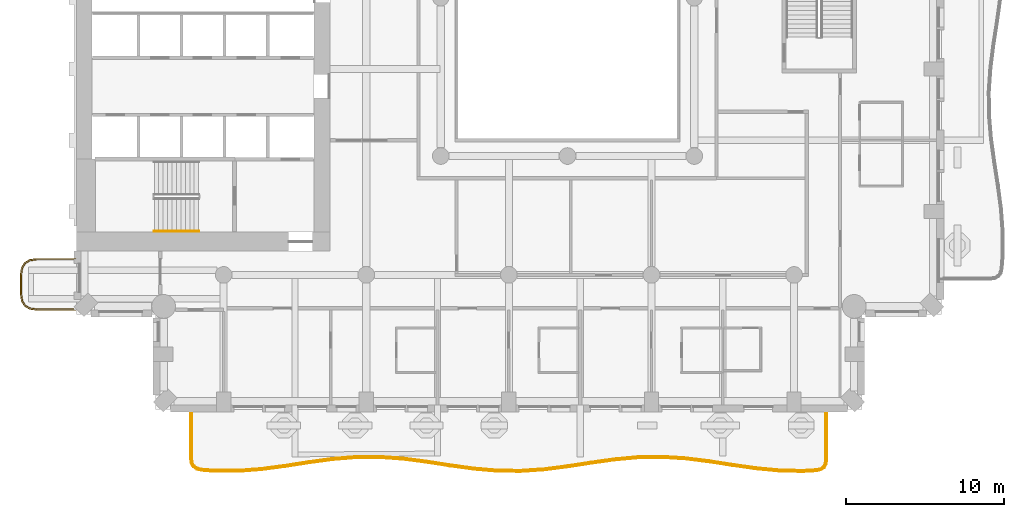
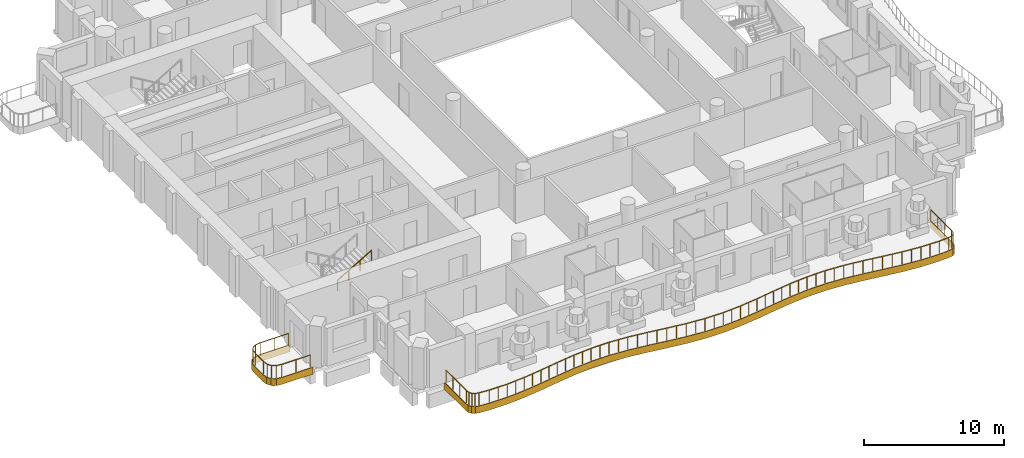
# One storey, part 12 of 19: 3 railings, 2 coverings.
"""IFC4 building model written with IfcOpenShell, lengths in metres."""

from ifc_helpers import new_model, si_unit, direction, frame, origin, origin_2d, place, context, subcontext, project, spatial, polyline, rectangle, outline, extrude, material, layer, layer_set, type_object, element, save


model = new_model("IFC4")

# Units and contexts
model_context = context("Model", 3, precision=1e-05, world=origin(), true_north=direction((0.0, 1.0)))
body_context = subcontext(model_context, "Body", "Model", "MODEL_VIEW")
ifc_project = project(units=[si_unit("LENGTHUNIT", "METRE"), si_unit("AREAUNIT", "SQUARE_METRE"), si_unit("VOLUMEUNIT", "CUBIC_METRE"), si_unit("PLANEANGLEUNIT", "RADIAN"), si_unit("MASSUNIT", "GRAM", prefix="KILO")], contexts=[model_context])

# Site, building, storey
site_placement = place(None, origin())
site = spatial("IfcSite", under=ifc_project, at=site_placement, CompositionType="ELEMENT")
building_placement = place(site_placement, origin())
building = spatial("IfcBuilding", under=site, at=building_placement, Name="Cypress Arch Tower", CompositionType="ELEMENT")
storey_placement = place(building_placement, frame((0.0, 0.0, 138.300048828125)))
storey = spatial("IfcBuildingStorey", under=building, at=storey_placement, Name="L30", CompositionType="ELEMENT", Elevation=138.300048828125)

# Coverings
ifc_material_1 = material(Name="White powder-coated aluminium fascia", Category="aluminium")
ifc_layer = layer(ifc_material_1, 0.050048828125)
ifc_layer_set = layer_set([ifc_layer], Name="Balcony fascia BF50")
covering_type = type_object("IfcCoveringType", Name="Balcony fascia BF50", PredefinedType="CLADDING", material=ifc_layer_set)
covering_1_placement = place(storey_placement, frame((0.0, 0.0, -0.60009765625)))
element("IfcCovering", 1, at=covering_1_placement, inside=storey, type_object=covering_type, Name="Balcony fascia L30-A00W1", PredefinedType="CLADDING", context=body_context, shape_type="SweptSolid", body=[
    extrude(outline(polyline([(-32.503662109375, -19.75), (-32.95458984375, -19.685546875), (-33.286376953125, -19.486328125), (-33.485595703125, -19.154541015625), (-33.550048828125, -18.70361328125), (-33.550048828125, -17.496337890625), (-33.485595703125, -17.04541015625), (-33.286376953125, -16.713623046875), (-32.95458984375, -16.514404296875), (-32.503662109375, -16.449951171875), (-30.0009765625, -16.449951171875), (-30.0009765625, -16.5), (-32.5, -16.5), (-32.9375, -16.5625), (-33.25, -16.75), (-33.4375, -17.0625), (-33.5, -17.5), (-33.5, -18.699951171875), (-33.4375, -19.137451171875), (-33.25, -19.449951171875), (-32.9375, -19.637451171875), (-32.5, -19.699951171875), (-30.0009765625, -19.699951171875), (-30.0009765625, -19.75), (-32.503662109375, -19.75)])), origin(), (0.0, 0.0, 1.0), 0.60009765625),
])
covering_2_placement = place(storey_placement, frame((0.0, 0.0, -0.60009765625)))
element("IfcCovering", 2, at=covering_2_placement, inside=storey, type_object=covering_type, Name="Balcony fascia L30-A03", PredefinedType="CLADDING", context=body_context, shape_type="SweptSolid", body=[
    extrude(outline(polyline([(17.39990234375, -29.143310546875), (17.3564453125, -29.451904296875), (17.22021484375, -29.68701171875), (16.993408203125, -29.836669921875), (16.68798828125, -29.898193359375), (15.86572265625, -29.9462890625), (14.376708984375, -29.916015625), (12.888671875, -29.776123046875), (11.40185546875, -29.5634765625), (9.917236328125, -29.33447265625), (8.434326171875, -29.14892578125), (6.95263671875, -29.0556640625), (5.47119140625, -29.078857421875), (3.989013671875, -29.21240234375), (2.50537109375, -29.421630859375), (1.02001953125, -29.651611328125), (-0.46728515625, -29.841796875), (-1.9560546875, -29.94189453125), (-3.445068359375, -29.92578125), (-4.933349609375, -29.797607421875), (-6.420166015625, -29.591064453125), (-7.9052734375, -29.36083984375), (-9.388427734375, -29.1669921875), (-10.8701171875, -29.060791015625), (-12.3515625, -29.06982421875), (-13.83349609375, -29.191650390625), (-15.31689453125, -29.394287109375), (-16.802001953125, -29.625), (-18.289306640625, -29.82275390625), (-19.77783203125, -29.935791015625), (-21.266845703125, -29.93408203125), (-22.089111328125, -29.869873046875), (-22.394287109375, -29.802490234375), (-22.62060546875, -29.6484375), (-22.75634765625, -29.410888671875), (-22.800048828125, -29.101318359375), (-22.800048828125, -26.0009765625), (-22.75, -26.0009765625), (-22.75, -29.097900390625), (-22.708251953125, -29.394287109375), (-22.5830078125, -29.613525390625), (-22.3740234375, -29.755615234375), (-22.081787109375, -29.8203125), (-21.264892578125, -29.884033203125), (-19.779541015625, -29.8857421875), (-18.29443359375, -29.773193359375), (-16.809326171875, -29.575439453125), (-15.323974609375, -29.3447265625), (-13.8388671875, -29.141845703125), (-12.353759765625, -29.019775390625), (-10.868408203125, -29.010986328125), (-9.38330078125, -29.117431640625), (-7.898193359375, -29.311279296875), (-6.412841796875, -29.54150390625), (-4.927734375, -29.747802734375), (-3.442626953125, -29.8759765625), (-1.95751953125, -29.891845703125), (-0.47216796875, -29.7919921875), (1.012939453125, -29.60205078125), (2.498046875, -29.3720703125), (3.9833984375, -29.162841796875), (5.468505859375, -29.02880859375), (6.95361328125, -29.005615234375), (8.43896484375, -29.09912109375), (9.924072265625, -29.284912109375), (11.4091796875, -29.51416015625), (12.89453125, -29.726318359375), (14.379638671875, -29.865966796875), (15.86474609375, -29.896240234375), (16.681640625, -29.8486328125), (16.97412109375, -29.78955078125), (17.182861328125, -29.65185546875), (17.308349609375, -29.435302734375), (17.35009765625, -29.139892578125), (17.35009765625, -26.0009765625), (17.39990234375, -26.0009765625), (17.39990234375, -29.143310546875)])), origin(), (0.0, 0.0, 1.0), 0.60009765625),
])

# Railings
ifc_material_2 = material(Name="Powder-coated steel posts and rods, 100 mm clear between rods", Category="steel")
railing_type_1 = type_object("IfcRailingType", Name="Balcony guard GR1100", PredefinedType="GUARDRAIL", material=ifc_material_2)
railing_1_placement = place(storey_placement, frame((-30.14990234375, -19.64990234375, 0.0)))
element("IfcRailing", 3, at=railing_1_placement, inside=storey, type_object=railing_type_1, Name="Balcony guard L30-A00W1", PredefinedType="GUARDRAIL", context=body_context, shape_type="SweptSolid", body=[
    extrude(rectangle(XDim=0.050048828125, YDim=0.050048828125, at=origin_2d()), frame((0.0, 0.0, 1.0751953125), z_axis=(-1.0, 0.0, 0.0), x_axis=(0.0, -1.0, 0.0)), (0.0, 0.0, 1.0), 2.346435546875),
    extrude(rectangle(XDim=0.050048828125, YDim=0.050048828125, at=origin_2d()), frame((-2.346435546875, 0.0, 1.0751953125), z_axis=(-0.989960888959, 0.141341566184, 0.0), x_axis=(-0.141341566184, -0.989960888959, 0.0)), (0.0, 0.0, 1.0), 0.428466796875),
    extrude(rectangle(XDim=0.050048828125, YDim=0.050048828125, at=origin_2d()), frame((-2.7705078125, 0.060546875, 1.0751953125), z_axis=(-0.857681904839, 0.514180659021, 0.0), x_axis=(-0.514180659021, -0.857681904839, 0.0)), (0.0, 0.0, 1.0), 0.341796875),
    extrude(rectangle(XDim=0.050048828125, YDim=0.050048828125, at=origin_2d()), frame((-3.063720703125, 0.236328125, 1.0751953125), z_axis=(-0.514180659021, 0.857681904839, 0.0), x_axis=(-0.857681904839, -0.514180659021, 0.0)), (0.0, 0.0, 1.0), 0.341796875),
    extrude(rectangle(XDim=0.050048828125, YDim=0.050048828125, at=origin_2d()), frame((-3.239501953125, 0.529541015625, 1.0751953125), z_axis=(-0.141421356237, 0.989949493661, 0.0), x_axis=(-0.989949493661, -0.141421356237, 0.0)), (0.0, 0.0, 1.0), 0.42822265625),
    extrude(rectangle(XDim=0.050048828125, YDim=0.050048828125, at=origin_2d()), frame((-3.300048828125, 0.953369140625, 1.0751953125), z_axis=(0.0, 1.0, 0.0), x_axis=(-1.0, 0.0, 0.0)), (0.0, 0.0, 1.0), 1.19287109375),
    extrude(rectangle(XDim=0.050048828125, YDim=0.050048828125, at=origin_2d()), frame((-3.300048828125, 2.146240234375, 1.0751953125), z_axis=(0.141341566184, 0.989960888959, 0.0), x_axis=(-0.989960888959, 0.141341566184, 0.0)), (0.0, 0.0, 1.0), 0.428466796875),
    extrude(rectangle(XDim=0.050048828125, YDim=0.050048828125, at=origin_2d()), frame((-3.239501953125, 2.5703125, 1.0751953125), z_axis=(0.514180659021, 0.857681904839, 0.0), x_axis=(-0.857681904839, 0.514180659021, 0.0)), (0.0, 0.0, 1.0), 0.341796875),
    extrude(rectangle(XDim=0.050048828125, YDim=0.050048828125, at=origin_2d()), frame((-3.063720703125, 2.863525390625, 1.0751953125), z_axis=(0.857681904839, 0.514180659021, 0.0), x_axis=(-0.514180659021, 0.857681904839, 0.0)), (0.0, 0.0, 1.0), 0.341796875),
    extrude(rectangle(XDim=0.050048828125, YDim=0.050048828125, at=origin_2d()), frame((-2.7705078125, 3.039306640625, 1.0751953125), z_axis=(0.989960888959, 0.141341566184, 0.0), x_axis=(-0.141341566184, 0.989960888959, 0.0)), (0.0, 0.0, 1.0), 0.428466796875),
    extrude(rectangle(XDim=0.050048828125, YDim=0.050048828125, at=origin_2d()), frame((-2.346435546875, 3.099853515625, 1.0751953125), z_axis=(1.0, 0.0, 0.0), x_axis=(0.0, 1.0, 0.0)), (0.0, 0.0, 1.0), 2.346435546875),
    extrude(rectangle(XDim=0.0400390625, YDim=0.0400390625, at=origin_2d()), origin(), (0.0, 0.0, 1.0), 1.050048828125),
    extrude(rectangle(XDim=0.0400390625, YDim=0.0400390625, at=origin_2d()), frame((-1.17333984375, 0.0, 0.0)), (0.0, 0.0, 1.0), 1.050048828125),
    extrude(rectangle(XDim=0.0400390625, YDim=0.0400390625, at=origin_2d()), frame((-2.346435546875, 0.0, 0.0)), (0.0, 0.0, 1.0), 1.050048828125),
    extrude(rectangle(XDim=0.0400390625, YDim=0.0400390625, at=origin_2d()), frame((-2.7705078125, 0.060546875, 0.0)), (0.0, 0.0, 1.0), 1.050048828125),
    extrude(rectangle(XDim=0.0400390625, YDim=0.0400390625, at=origin_2d()), frame((-3.063720703125, 0.236328125, 0.0)), (0.0, 0.0, 1.0), 1.050048828125),
    extrude(rectangle(XDim=0.0400390625, YDim=0.0400390625, at=origin_2d()), frame((-3.239501953125, 0.529541015625, 0.0)), (0.0, 0.0, 1.0), 1.050048828125),
    extrude(rectangle(XDim=0.0400390625, YDim=0.0400390625, at=origin_2d()), frame((-3.300048828125, 0.953369140625, 0.0)), (0.0, 0.0, 1.0), 1.050048828125),
    extrude(rectangle(XDim=0.0400390625, YDim=0.0400390625, at=origin_2d()), frame((-3.300048828125, 2.146240234375, 0.0)), (0.0, 0.0, 1.0), 1.050048828125),
    extrude(rectangle(XDim=0.0400390625, YDim=0.0400390625, at=origin_2d()), frame((-3.239501953125, 2.5703125, 0.0)), (0.0, 0.0, 1.0), 1.050048828125),
    extrude(rectangle(XDim=0.0400390625, YDim=0.0400390625, at=origin_2d()), frame((-3.063720703125, 2.863525390625, 0.0)), (0.0, 0.0, 1.0), 1.050048828125),
    extrude(rectangle(XDim=0.0400390625, YDim=0.0400390625, at=origin_2d()), frame((-2.7705078125, 3.039306640625, 0.0)), (0.0, 0.0, 1.0), 1.050048828125),
    extrude(rectangle(XDim=0.0400390625, YDim=0.0400390625, at=origin_2d()), frame((-2.346435546875, 3.099853515625, 0.0)), (0.0, 0.0, 1.0), 1.050048828125),
    extrude(rectangle(XDim=0.0400390625, YDim=0.0400390625, at=origin_2d()), frame((-1.17333984375, 3.099853515625, 0.0)), (0.0, 0.0, 1.0), 1.050048828125),
    extrude(rectangle(XDim=0.0400390625, YDim=0.0400390625, at=origin_2d()), frame((0.0, 3.099853515625, 0.0)), (0.0, 0.0, 1.0), 1.050048828125),
])
railing_2_placement = place(storey_placement, frame((17.300048828125, -26.14990234375, 0.0)))
element("IfcRailing", 4, at=railing_2_placement, inside=storey, type_object=railing_type_1, Name="Balcony guard L30-A03", PredefinedType="GUARDRAIL", context=body_context, shape_type="SweptSolid", body=[
    extrude(rectangle(XDim=0.050048828125, YDim=0.050048828125, at=origin_2d()), frame((0.0, 0.0, 1.0751953125), z_axis=(0.0, -1.0, 0.0), x_axis=(1.0, 0.0, 0.0)), (0.0, 0.0, 1.0), 2.986572265625),
    extrude(rectangle(XDim=0.050048828125, YDim=0.050048828125, at=origin_2d()), frame((0.0, -2.986572265625, 1.0751953125), z_axis=(-0.140462036909, -0.990086065041, 0.0), x_axis=(0.990086065041, -0.140462036909, 0.0)), (0.0, 0.0, 1.0), 0.28515625),
    extrude(rectangle(XDim=0.050048828125, YDim=0.050048828125, at=origin_2d()), frame((-0.0400390625, -3.268798828125, 1.0751953125), z_axis=(-0.501078385199, -0.865401901943, 0.0), x_axis=(0.865401901943, -0.501078385199, 0.0)), (0.0, 0.0, 1.0), 0.228515625),
    extrude(rectangle(XDim=0.050048828125, YDim=0.050048828125, at=origin_2d()), frame((-0.154541015625, -3.466552734375, 1.0751953125), z_axis=(-0.834668286008, -0.550752986676, 0.0), x_axis=(0.550752986676, -0.834668286008, 0.0)), (0.0, 0.0, 1.0), 0.228759765625),
    extrude(rectangle(XDim=0.050048828125, YDim=0.050048828125, at=origin_2d()), frame((-0.345458984375, -3.592529296875, 1.0751953125), z_axis=(-0.980216494426, -0.197928330605, 0.0), x_axis=(0.197928330605, -0.980216494426, 0.0)), (0.0, 0.0, 1.0), 0.284912109375),
    extrude(rectangle(XDim=0.050048828125, YDim=0.050048828125, at=origin_2d()), frame((-0.624755859375, -3.64892578125, 1.0751953125), z_axis=(-0.998283681063, -0.058563573348, 0.0), x_axis=(0.058563573348, -0.998283681063, 0.0)), (0.0, 0.0, 1.0), 0.81298828125),
    extrude(rectangle(XDim=0.050048828125, YDim=0.050048828125, at=origin_2d()), frame((-1.436279296875, -3.696533203125, 1.0751953125), z_axis=(-0.999791200551, 0.020434169914, 0.0), x_axis=(-0.020434169914, -0.999791200551, 0.0)), (0.0, 0.0, 1.0), 1.4814453125),
    extrude(rectangle(XDim=0.050048828125, YDim=0.050048828125, at=origin_2d()), frame((-2.91748046875, -3.666259765625, 1.0751953125), z_axis=(-0.995606081336, 0.093640433609, 0.0), x_axis=(-0.093640433609, -0.995606081336, 0.0)), (0.0, 0.0, 1.0), 1.48876953125),
    extrude(rectangle(XDim=0.050048828125, YDim=0.050048828125, at=origin_2d()), frame((-4.399658203125, -3.52685546875, 1.0751953125), z_axis=(-0.989933199942, 0.141535365375, 0.0), x_axis=(-0.141535365375, -0.989933199942, 0.0)), (0.0, 0.0, 1.0), 1.4990234375),
    extrude(rectangle(XDim=0.050048828125, YDim=0.050048828125, at=origin_2d()), frame((-5.883544921875, -3.314697265625, 1.0751953125), z_axis=(-0.988302121698, 0.152508741541, 0.0), x_axis=(-0.152508741541, -0.988302121698, 0.0)), (0.0, 0.0, 1.0), 1.503173828125),
    extrude(rectangle(XDim=0.050048828125, YDim=0.050048828125, at=origin_2d()), frame((-7.369140625, -3.08544921875, 1.0751953125), z_axis=(-0.99226785006, 0.124114921495, 0.0), x_axis=(-0.124114921495, -0.99226785006, 0.0)), (0.0, 0.0, 1.0), 1.498779296875),
    extrude(rectangle(XDim=0.050048828125, YDim=0.050048828125, at=origin_2d()), frame((-8.8564453125, -2.8994140625, 1.0751953125), z_axis=(-0.998023174479, 0.062846982453, 0.0), x_axis=(-0.062846982453, -0.998023174479, 0.0)), (0.0, 0.0, 1.0), 1.49169921875),
    extrude(rectangle(XDim=0.050048828125, YDim=0.050048828125, at=origin_2d()), frame((-10.34521484375, -2.8056640625, 1.0751953125), z_axis=(-0.999876144723, -0.015738335775, 0.0), x_axis=(0.015738335775, -0.999876144723, 0.0)), (0.0, 0.0, 1.0), 1.4892578125),
    extrude(rectangle(XDim=0.050048828125, YDim=0.050048828125, at=origin_2d()), frame((-11.834228515625, -2.8291015625, 1.0751953125), z_axis=(-0.99596918613, -0.08969604383, 0.0), x_axis=(0.08969604383, -0.99596918613, 0.0)), (0.0, 0.0, 1.0), 1.494384765625),
    extrude(rectangle(XDim=0.050048828125, YDim=0.050048828125, at=origin_2d()), frame((-13.322509765625, -2.963134765625, 1.0751953125), z_axis=(-0.990198336954, -0.139668369695, 0.0), x_axis=(0.139668369695, -0.990198336954, 0.0)), (0.0, 0.0, 1.0), 1.50146484375),
    extrude(rectangle(XDim=0.050048828125, YDim=0.050048828125, at=origin_2d()), frame((-14.809326171875, -3.1728515625, 1.0751953125), z_axis=(-0.988241725228, -0.152899615824, 0.0), x_axis=(0.152899615824, -0.988241725228, 0.0)), (0.0, 0.0, 1.0), 1.50244140625),
    extrude(rectangle(XDim=0.050048828125, YDim=0.050048828125, at=origin_2d()), frame((-16.294189453125, -3.402587890625, 1.0751953125), z_axis=(-0.99191701264, -0.126888297468, 0.0), x_axis=(0.126888297468, -0.99191701264, 0.0)), (0.0, 0.0, 1.0), 1.494873046875),
    extrude(rectangle(XDim=0.050048828125, YDim=0.050048828125, at=origin_2d()), frame((-17.777099609375, -3.59228515625, 1.0751953125), z_axis=(-0.997736887673, -0.067239147645, 0.0), x_axis=(0.067239147645, -0.997736887673, 0.0)), (0.0, 0.0, 1.0), 1.485107421875),
    extrude(rectangle(XDim=0.050048828125, YDim=0.050048828125, at=origin_2d()), frame((-19.2587890625, -3.692138671875, 1.0751953125), z_axis=(-0.999940853616, 0.01087608707, 0.0), x_axis=(-0.01087608707, -0.999940853616, 0.0)), (0.0, 0.0, 1.0), 1.4814453125),
    extrude(rectangle(XDim=0.050048828125, YDim=0.050048828125, at=origin_2d()), frame((-20.740234375, -3.676025390625, 1.0751953125), z_axis=(-0.996308642532, 0.085843397042, 0.0), x_axis=(-0.085843397042, -0.996308642532, 0.0)), (0.0, 0.0, 1.0), 1.4873046875),
    extrude(rectangle(XDim=0.050048828125, YDim=0.050048828125, at=origin_2d()), frame((-22.22216796875, -3.54833984375, 1.0751953125), z_axis=(-0.990492890088, 0.137563929445, 0.0), x_axis=(-0.137563929445, -0.990492890088, 0.0)), (0.0, 0.0, 1.0), 1.497802734375),
    extrude(rectangle(XDim=0.050048828125, YDim=0.050048828125, at=origin_2d()), frame((-23.705810546875, -3.34228515625, 1.0751953125), z_axis=(-0.988175600597, 0.153326391677, 0.0), x_axis=(-0.153326391677, -0.988175600597, 0.0)), (0.0, 0.0, 1.0), 1.503173828125),
    extrude(rectangle(XDim=0.050048828125, YDim=0.050048828125, at=origin_2d()), frame((-25.191162109375, -3.11181640625, 1.0751953125), z_axis=(-0.991592240475, 0.129401810765, 0.0), x_axis=(-0.129401810765, -0.991592240475, 0.0)), (0.0, 0.0, 1.0), 1.5),
    extrude(rectangle(XDim=0.050048828125, YDim=0.050048828125, at=origin_2d()), frame((-26.678466796875, -2.917724609375, 1.0751953125), z_axis=(-0.997441230846, 0.071491195322, 0.0), x_axis=(-0.071491195322, -0.997441230846, 0.0)), (0.0, 0.0, 1.0), 1.492431640625),
    extrude(rectangle(XDim=0.050048828125, YDim=0.050048828125, at=origin_2d()), frame((-28.1669921875, -2.81103515625, 1.0751953125), z_axis=(-0.999982580071, -0.005902504162, 0.0), x_axis=(0.005902504162, -0.999982580071, 0.0)), (0.0, 0.0, 1.0), 1.489013671875),
    extrude(rectangle(XDim=0.050048828125, YDim=0.050048828125, at=origin_2d()), frame((-29.656005859375, -2.81982421875, 1.0751953125), z_axis=(-0.996639822044, -0.081908883012, 0.0), x_axis=(0.081908883012, -0.996639822044, 0.0)), (0.0, 0.0, 1.0), 1.493408203125),
    extrude(rectangle(XDim=0.050048828125, YDim=0.050048828125, at=origin_2d()), frame((-31.144287109375, -2.942138671875, 1.0751953125), z_axis=(-0.990777632207, -0.135497909642, 0.0), x_axis=(0.135497909642, -0.990777632207, 0.0)), (0.0, 0.0, 1.0), 1.5009765625),
    extrude(rectangle(XDim=0.050048828125, YDim=0.050048828125, at=origin_2d()), frame((-32.63134765625, -3.1455078125, 1.0751953125), z_axis=(-0.988171781301, -0.153351004693, 0.0), x_axis=(0.153351004693, -0.988171781301, 0.0)), (0.0, 0.0, 1.0), 1.5029296875),
    extrude(rectangle(XDim=0.050048828125, YDim=0.050048828125, at=origin_2d()), frame((-34.116455078125, -3.3759765625, 1.0751953125), z_axis=(-0.991249263517, -0.132003399866, 0.0), x_axis=(0.132003399866, -0.991249263517, 0.0)), (0.0, 0.0, 1.0), 1.496337890625),
    extrude(rectangle(XDim=0.050048828125, YDim=0.050048828125, at=origin_2d()), frame((-35.599609375, -3.573486328125, 1.0751953125), z_axis=(-0.997128421672, -0.075729193145, 0.0), x_axis=(0.075729193145, -0.997128421672, 0.0)), (0.0, 0.0, 1.0), 1.486083984375),
    extrude(rectangle(XDim=0.050048828125, YDim=0.050048828125, at=origin_2d()), frame((-37.08154296875, -3.68603515625, 1.0751953125), z_axis=(-0.999999130923, 0.001318390417, 0.0), x_axis=(-0.001318390417, -0.999999130923, 0.0)), (0.0, 0.0, 1.0), 1.4814453125),
    extrude(rectangle(XDim=0.050048828125, YDim=0.050048828125, at=origin_2d()), frame((-38.56298828125, -3.68408203125, 1.0751953125), z_axis=(-0.996976321459, 0.077705948618, 0.0), x_axis=(-0.077705948618, -0.996976321459, 0.0)), (0.0, 0.0, 1.0), 0.813720703125),
    extrude(rectangle(XDim=0.050048828125, YDim=0.050048828125, at=origin_2d()), frame((-39.374267578125, -3.620849609375, 1.0751953125), z_axis=(-0.976486857221, 0.215576941428, 0.0), x_axis=(-0.215576941428, -0.976486857221, 0.0)), (0.0, 0.0, 1.0), 0.28662109375),
    extrude(rectangle(XDim=0.050048828125, YDim=0.050048828125, at=origin_2d()), frame((-39.654052734375, -3.55908203125, 1.0751953125), z_axis=(-0.826651492665, 0.56271423447, 0.0), x_axis=(-0.56271423447, -0.826651492665, 0.0)), (0.0, 0.0, 1.0), 0.231201171875),
    extrude(rectangle(XDim=0.050048828125, YDim=0.050048828125, at=origin_2d()), frame((-39.84521484375, -3.428955078125, 1.0751953125), z_axis=(-0.496706682447, 0.867918470602, 0.0), x_axis=(-0.867918470602, -0.496706682447, 0.0)), (0.0, 0.0, 1.0), 0.2314453125),
    extrude(rectangle(XDim=0.050048828125, YDim=0.050048828125, at=origin_2d()), frame((-39.960205078125, -3.22802734375, 1.0751953125), z_axis=(-0.138915314155, 0.990304264099, 0.0), x_axis=(-0.990304264099, -0.138915314155, 0.0)), (0.0, 0.0, 1.0), 0.286376953125),
    extrude(rectangle(XDim=0.050048828125, YDim=0.050048828125, at=origin_2d()), frame((-40.0, -2.9443359375, 1.0751953125), z_axis=(0.0, 1.0, 0.0), x_axis=(-1.0, 0.0, 0.0)), (0.0, 0.0, 1.0), 2.9443359375),
    extrude(rectangle(XDim=0.0400390625, YDim=0.0400390625, at=origin_2d()), origin(), (0.0, 0.0, 1.0), 1.050048828125),
    extrude(rectangle(XDim=0.0400390625, YDim=0.0400390625, at=origin_2d()), frame((0.0, -0.99560546875, 0.0)), (0.0, 0.0, 1.0), 1.050048828125),
    extrude(rectangle(XDim=0.0400390625, YDim=0.0400390625, at=origin_2d()), frame((0.0, -1.990966796875, 0.0)), (0.0, 0.0, 1.0), 1.050048828125),
    extrude(rectangle(XDim=0.0400390625, YDim=0.0400390625, at=origin_2d()), frame((0.0, -2.986572265625, 0.0)), (0.0, 0.0, 1.0), 1.050048828125),
    extrude(rectangle(XDim=0.0400390625, YDim=0.0400390625, at=origin_2d()), frame((-0.0400390625, -3.268798828125, 0.0)), (0.0, 0.0, 1.0), 1.050048828125),
    extrude(rectangle(XDim=0.0400390625, YDim=0.0400390625, at=origin_2d()), frame((-0.154541015625, -3.466552734375, 0.0)), (0.0, 0.0, 1.0), 1.050048828125),
    extrude(rectangle(XDim=0.0400390625, YDim=0.0400390625, at=origin_2d()), frame((-0.345458984375, -3.592529296875, 0.0)), (0.0, 0.0, 1.0), 1.050048828125),
    extrude(rectangle(XDim=0.0400390625, YDim=0.0400390625, at=origin_2d()), frame((-0.624755859375, -3.64892578125, 0.0)), (0.0, 0.0, 1.0), 1.050048828125),
    extrude(rectangle(XDim=0.0400390625, YDim=0.0400390625, at=origin_2d()), frame((-1.436279296875, -3.696533203125, 0.0)), (0.0, 0.0, 1.0), 1.050048828125),
    extrude(rectangle(XDim=0.0400390625, YDim=0.0400390625, at=origin_2d()), frame((-2.1767578125, -3.681396484375, 0.0)), (0.0, 0.0, 1.0), 1.050048828125),
    extrude(rectangle(XDim=0.0400390625, YDim=0.0400390625, at=origin_2d()), frame((-2.91748046875, -3.666259765625, 0.0)), (0.0, 0.0, 1.0), 1.050048828125),
    extrude(rectangle(XDim=0.0400390625, YDim=0.0400390625, at=origin_2d()), frame((-3.65869140625, -3.5966796875, 0.0)), (0.0, 0.0, 1.0), 1.050048828125),
    extrude(rectangle(XDim=0.0400390625, YDim=0.0400390625, at=origin_2d()), frame((-4.399658203125, -3.52685546875, 0.0)), (0.0, 0.0, 1.0), 1.050048828125),
    extrude(rectangle(XDim=0.0400390625, YDim=0.0400390625, at=origin_2d()), frame((-5.1416015625, -3.4208984375, 0.0)), (0.0, 0.0, 1.0), 1.050048828125),
    extrude(rectangle(XDim=0.0400390625, YDim=0.0400390625, at=origin_2d()), frame((-5.883544921875, -3.314697265625, 0.0)), (0.0, 0.0, 1.0), 1.050048828125),
    extrude(rectangle(XDim=0.0400390625, YDim=0.0400390625, at=origin_2d()), frame((-6.62646484375, -3.2001953125, 0.0)), (0.0, 0.0, 1.0), 1.050048828125),
    extrude(rectangle(XDim=0.0400390625, YDim=0.0400390625, at=origin_2d()), frame((-7.369140625, -3.08544921875, 0.0)), (0.0, 0.0, 1.0), 1.050048828125),
    extrude(rectangle(XDim=0.0400390625, YDim=0.0400390625, at=origin_2d()), frame((-8.11279296875, -2.992431640625, 0.0)), (0.0, 0.0, 1.0), 1.050048828125),
    extrude(rectangle(XDim=0.0400390625, YDim=0.0400390625, at=origin_2d()), frame((-8.8564453125, -2.8994140625, 0.0)), (0.0, 0.0, 1.0), 1.050048828125),
    extrude(rectangle(XDim=0.0400390625, YDim=0.0400390625, at=origin_2d()), frame((-9.600830078125, -2.8525390625, 0.0)), (0.0, 0.0, 1.0), 1.050048828125),
    extrude(rectangle(XDim=0.0400390625, YDim=0.0400390625, at=origin_2d()), frame((-10.34521484375, -2.8056640625, 0.0)), (0.0, 0.0, 1.0), 1.050048828125),
    extrude(rectangle(XDim=0.0400390625, YDim=0.0400390625, at=origin_2d()), frame((-11.08984375, -2.8173828125, 0.0)), (0.0, 0.0, 1.0), 1.050048828125),
    extrude(rectangle(XDim=0.0400390625, YDim=0.0400390625, at=origin_2d()), frame((-11.834228515625, -2.8291015625, 0.0)), (0.0, 0.0, 1.0), 1.050048828125),
    extrude(rectangle(XDim=0.0400390625, YDim=0.0400390625, at=origin_2d()), frame((-12.578369140625, -2.89599609375, 0.0)), (0.0, 0.0, 1.0), 1.050048828125),
    extrude(rectangle(XDim=0.0400390625, YDim=0.0400390625, at=origin_2d()), frame((-13.322509765625, -2.963134765625, 0.0)), (0.0, 0.0, 1.0), 1.050048828125),
    extrude(rectangle(XDim=0.0400390625, YDim=0.0400390625, at=origin_2d()), frame((-14.06591796875, -3.06787109375, 0.0)), (0.0, 0.0, 1.0), 1.050048828125),
    extrude(rectangle(XDim=0.0400390625, YDim=0.0400390625, at=origin_2d()), frame((-14.809326171875, -3.1728515625, 0.0)), (0.0, 0.0, 1.0), 1.050048828125),
    extrude(rectangle(XDim=0.0400390625, YDim=0.0400390625, at=origin_2d()), frame((-15.5517578125, -3.28759765625, 0.0)), (0.0, 0.0, 1.0), 1.050048828125),
    extrude(rectangle(XDim=0.0400390625, YDim=0.0400390625, at=origin_2d()), frame((-16.294189453125, -3.402587890625, 0.0)), (0.0, 0.0, 1.0), 1.050048828125),
    extrude(rectangle(XDim=0.0400390625, YDim=0.0400390625, at=origin_2d()), frame((-17.03564453125, -3.49755859375, 0.0)), (0.0, 0.0, 1.0), 1.050048828125),
    extrude(rectangle(XDim=0.0400390625, YDim=0.0400390625, at=origin_2d()), frame((-17.777099609375, -3.59228515625, 0.0)), (0.0, 0.0, 1.0), 1.050048828125),
    extrude(rectangle(XDim=0.0400390625, YDim=0.0400390625, at=origin_2d()), frame((-18.51806640625, -3.64208984375, 0.0)), (0.0, 0.0, 1.0), 1.050048828125),
    extrude(rectangle(XDim=0.0400390625, YDim=0.0400390625, at=origin_2d()), frame((-19.2587890625, -3.692138671875, 0.0)), (0.0, 0.0, 1.0), 1.050048828125),
    extrude(rectangle(XDim=0.0400390625, YDim=0.0400390625, at=origin_2d()), frame((-19.99951171875, -3.68408203125, 0.0)), (0.0, 0.0, 1.0), 1.050048828125),
    extrude(rectangle(XDim=0.0400390625, YDim=0.0400390625, at=origin_2d()), frame((-20.740234375, -3.676025390625, 0.0)), (0.0, 0.0, 1.0), 1.050048828125),
    extrude(rectangle(XDim=0.0400390625, YDim=0.0400390625, at=origin_2d()), frame((-21.481201171875, -3.6123046875, 0.0)), (0.0, 0.0, 1.0), 1.050048828125),
    extrude(rectangle(XDim=0.0400390625, YDim=0.0400390625, at=origin_2d()), frame((-22.22216796875, -3.54833984375, 0.0)), (0.0, 0.0, 1.0), 1.050048828125),
    extrude(rectangle(XDim=0.0400390625, YDim=0.0400390625, at=origin_2d()), frame((-22.9638671875, -3.4453125, 0.0)), (0.0, 0.0, 1.0), 1.050048828125),
    extrude(rectangle(XDim=0.0400390625, YDim=0.0400390625, at=origin_2d()), frame((-23.705810546875, -3.34228515625, 0.0)), (0.0, 0.0, 1.0), 1.050048828125),
    extrude(rectangle(XDim=0.0400390625, YDim=0.0400390625, at=origin_2d()), frame((-24.448486328125, -3.22705078125, 0.0)), (0.0, 0.0, 1.0), 1.050048828125),
    extrude(rectangle(XDim=0.0400390625, YDim=0.0400390625, at=origin_2d()), frame((-25.191162109375, -3.11181640625, 0.0)), (0.0, 0.0, 1.0), 1.050048828125),
    extrude(rectangle(XDim=0.0400390625, YDim=0.0400390625, at=origin_2d()), frame((-25.934814453125, -3.0146484375, 0.0)), (0.0, 0.0, 1.0), 1.050048828125),
    extrude(rectangle(XDim=0.0400390625, YDim=0.0400390625, at=origin_2d()), frame((-26.678466796875, -2.917724609375, 0.0)), (0.0, 0.0, 1.0), 1.050048828125),
    extrude(rectangle(XDim=0.0400390625, YDim=0.0400390625, at=origin_2d()), frame((-27.4228515625, -2.8642578125, 0.0)), (0.0, 0.0, 1.0), 1.050048828125),
    extrude(rectangle(XDim=0.0400390625, YDim=0.0400390625, at=origin_2d()), frame((-28.1669921875, -2.81103515625, 0.0)), (0.0, 0.0, 1.0), 1.050048828125),
    extrude(rectangle(XDim=0.0400390625, YDim=0.0400390625, at=origin_2d()), frame((-28.91162109375, -2.8154296875, 0.0)), (0.0, 0.0, 1.0), 1.050048828125),
    extrude(rectangle(XDim=0.0400390625, YDim=0.0400390625, at=origin_2d()), frame((-29.656005859375, -2.81982421875, 0.0)), (0.0, 0.0, 1.0), 1.050048828125),
    extrude(rectangle(XDim=0.0400390625, YDim=0.0400390625, at=origin_2d()), frame((-30.400146484375, -2.880859375, 0.0)), (0.0, 0.0, 1.0), 1.050048828125),
    extrude(rectangle(XDim=0.0400390625, YDim=0.0400390625, at=origin_2d()), frame((-31.144287109375, -2.942138671875, 0.0)), (0.0, 0.0, 1.0), 1.050048828125),
    extrude(rectangle(XDim=0.0400390625, YDim=0.0400390625, at=origin_2d()), frame((-31.8876953125, -3.0439453125, 0.0)), (0.0, 0.0, 1.0), 1.050048828125),
    extrude(rectangle(XDim=0.0400390625, YDim=0.0400390625, at=origin_2d()), frame((-32.63134765625, -3.1455078125, 0.0)), (0.0, 0.0, 1.0), 1.050048828125),
    extrude(rectangle(XDim=0.0400390625, YDim=0.0400390625, at=origin_2d()), frame((-33.3740234375, -3.2607421875, 0.0)), (0.0, 0.0, 1.0), 1.050048828125),
    extrude(rectangle(XDim=0.0400390625, YDim=0.0400390625, at=origin_2d()), frame((-34.116455078125, -3.3759765625, 0.0)), (0.0, 0.0, 1.0), 1.050048828125),
    extrude(rectangle(XDim=0.0400390625, YDim=0.0400390625, at=origin_2d()), frame((-34.85791015625, -3.474609375, 0.0)), (0.0, 0.0, 1.0), 1.050048828125),
    extrude(rectangle(XDim=0.0400390625, YDim=0.0400390625, at=origin_2d()), frame((-35.599609375, -3.573486328125, 0.0)), (0.0, 0.0, 1.0), 1.050048828125),
    extrude(rectangle(XDim=0.0400390625, YDim=0.0400390625, at=origin_2d()), frame((-36.340576171875, -3.6298828125, 0.0)), (0.0, 0.0, 1.0), 1.050048828125),
    extrude(rectangle(XDim=0.0400390625, YDim=0.0400390625, at=origin_2d()), frame((-37.08154296875, -3.68603515625, 0.0)), (0.0, 0.0, 1.0), 1.050048828125),
    extrude(rectangle(XDim=0.0400390625, YDim=0.0400390625, at=origin_2d()), frame((-37.822265625, -3.68505859375, 0.0)), (0.0, 0.0, 1.0), 1.050048828125),
    extrude(rectangle(XDim=0.0400390625, YDim=0.0400390625, at=origin_2d()), frame((-38.56298828125, -3.68408203125, 0.0)), (0.0, 0.0, 1.0), 1.050048828125),
    extrude(rectangle(XDim=0.0400390625, YDim=0.0400390625, at=origin_2d()), frame((-39.374267578125, -3.620849609375, 0.0)), (0.0, 0.0, 1.0), 1.050048828125),
    extrude(rectangle(XDim=0.0400390625, YDim=0.0400390625, at=origin_2d()), frame((-39.654052734375, -3.55908203125, 0.0)), (0.0, 0.0, 1.0), 1.050048828125),
    extrude(rectangle(XDim=0.0400390625, YDim=0.0400390625, at=origin_2d()), frame((-39.84521484375, -3.428955078125, 0.0)), (0.0, 0.0, 1.0), 1.050048828125),
    extrude(rectangle(XDim=0.0400390625, YDim=0.0400390625, at=origin_2d()), frame((-39.960205078125, -3.22802734375, 0.0)), (0.0, 0.0, 1.0), 1.050048828125),
    extrude(rectangle(XDim=0.0400390625, YDim=0.0400390625, at=origin_2d()), frame((-40.0, -2.9443359375, 0.0)), (0.0, 0.0, 1.0), 1.050048828125),
    extrude(rectangle(XDim=0.0400390625, YDim=0.0400390625, at=origin_2d()), frame((-40.0, -1.962890625, 0.0)), (0.0, 0.0, 1.0), 1.050048828125),
    extrude(rectangle(XDim=0.0400390625, YDim=0.0400390625, at=origin_2d()), frame((-40.0, -0.9814453125, 0.0)), (0.0, 0.0, 1.0), 1.050048828125),
    extrude(rectangle(XDim=0.0400390625, YDim=0.0400390625, at=origin_2d()), frame((-40.0, 0.0, 0.0)), (0.0, 0.0, 1.0), 1.050048828125),
])
ifc_material_3 = material(Name="Black powder-coated steel square bar 48 mm", Category="steel")
railing_type_2 = type_object("IfcRailingType", Name="Stair handrail HR1", PredefinedType="HANDRAIL", material=ifc_material_3)
railing_3_placement = place(storey_placement, frame((-25.074951171875, -14.75, 1.963623046875)))
element("IfcRailing", 5, at=railing_3_placement, inside=storey, type_object=railing_type_2, Name="L30 A stair handrail 2", PredefinedType="HANDRAIL", context=body_context, shape_type="SweptSolid", body=[
    extrude(rectangle(XDim=0.048095703125, YDim=0.048095703125, at=origin_2d()), frame((0.0, 0.0, 0.8759765625), z_axis=(0.863393664356, 0.0, 0.504530851732), x_axis=(0.0, 1.0, 0.0)), (0.0, 0.0, 1.0), 3.2431640625),
    extrude(rectangle(XDim=0.0419921875, YDim=0.0419921875, at=origin_2d()), origin(), (0.0, 0.0, 1.0), 0.851806640625),
    extrude(rectangle(XDim=0.0419921875, YDim=0.0419921875, at=origin_2d()), frame((0.933349609375, 0.0, 0.54541015625)), (0.0, 0.0, 1.0), 0.851806640625),
    extrude(rectangle(XDim=0.0419921875, YDim=0.0419921875, at=origin_2d()), frame((1.86669921875, 0.0, 1.0908203125)), (0.0, 0.0, 1.0), 0.851806640625),
    extrude(rectangle(XDim=0.0419921875, YDim=0.0419921875, at=origin_2d()), frame((2.800048828125, 0.0, 1.63623046875)), (0.0, 0.0, 1.0), 0.851806640625),
])

save(model, "model.ifc")
